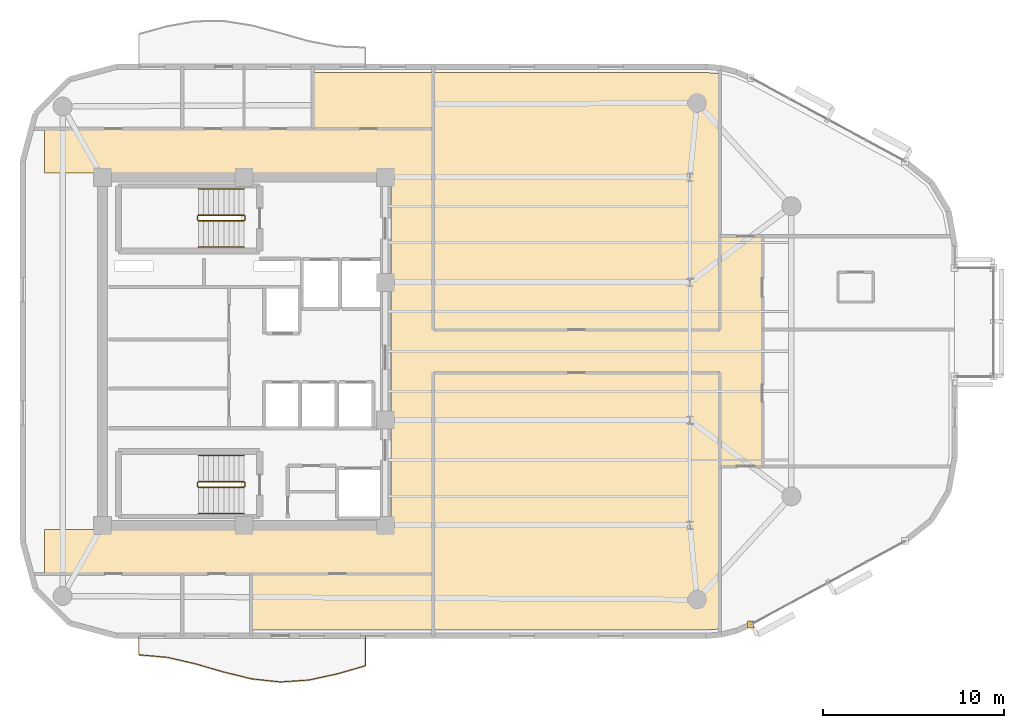
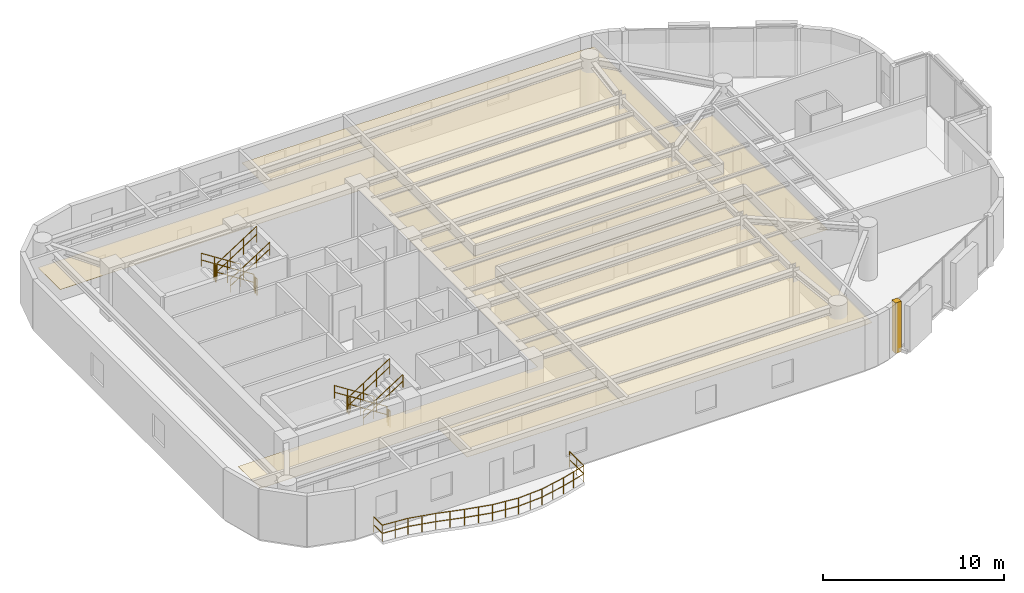
# One storey, part 13 of 14: 13 railings, 6 coverings.
"""IFC4 building model written with IfcOpenShell, lengths in metres."""

from ifc_helpers import new_model, si_unit, direction, frame, origin, origin_2d, place, context, subcontext, project, spatial, polyline, rectangle, circle, outline, extrude, material, layer, layer_set, type_object, element, save


model = new_model("IFC4")

# Units and contexts
model_context = context("Model", 3, precision=1e-05, world=origin(), true_north=direction((0.0, 1.0)))
body_context = subcontext(model_context, "Body", "Model", "MODEL_VIEW")
ifc_project = project(units=[si_unit("LENGTHUNIT", "METRE"), si_unit("AREAUNIT", "SQUARE_METRE"), si_unit("VOLUMEUNIT", "CUBIC_METRE"), si_unit("PLANEANGLEUNIT", "RADIAN"), si_unit("MASSUNIT", "GRAM", prefix="KILO")], contexts=[model_context])

# Site, building, storey
site_placement = place(None, origin())
site = spatial("IfcSite", under=ifc_project, at=site_placement, CompositionType="ELEMENT")
building_placement = place(site_placement, origin())
building = spatial("IfcBuilding", under=site, at=building_placement, Name="An Khanh Terracotta Commons", CompositionType="ELEMENT")
storey_placement = place(building_placement, frame((0.0, 0.0, 230.10009765625)))
storey = spatial("IfcBuildingStorey", under=building, at=storey_placement, Name="L60", CompositionType="ELEMENT", Elevation=230.10009765625)

# Coverings
ifc_material_1 = material(Name="Perforated Mineral-Fibre Acoustic Tile")
ifc_layer_1 = layer(ifc_material_1, 0.02001953125, Name="Perforated Mineral-Fibre Acoustic Tile")
ifc_layer_set_1 = layer_set([ifc_layer_1], Name="Perforated Mineral-Fibre Acoustic Tile")
covering_type_1 = type_object("IfcCoveringType", Name="CEIL-ACOUSTIC-18", PredefinedType="CEILING", material=ifc_layer_set_1)
covering_1_placement = place(storey_placement, frame((0.0, 0.0, 2.64990234375)))
element("IfcCovering", 1, at=covering_1_placement, inside=storey, type_object=covering_type_1, Name="L60 Corridor Ceiling", PredefinedType="CEILING", context=body_context, shape_type="SweptSolid", body=[
    extrude(outline(polyline([(18.39990234375, 11.719970703125), (18.39990234375, 14.179931640625), (37.5, 14.179931640625), (37.5, 33.820068359375), (18.39990234375, 33.820068359375), (18.39990234375, 36.280029296875), (37.5, 36.280029296875), (39.85009765625, 36.280029296875), (39.85009765625, 33.820068359375), (39.85009765625, 25.179931640625), (55.64990234375, 25.179931640625), (55.64990234375, 30.35009765625), (58.0, 30.35009765625), (58.0, 25.179931640625), (58.0, 22.820068359375), (58.0, 17.64990234375), (55.64990234375, 17.64990234375), (55.64990234375, 22.820068359375), (39.85009765625, 22.820068359375), (39.85009765625, 14.179931640625), (39.85009765625, 11.719970703125), (37.5, 11.719970703125), (18.39990234375, 11.719970703125)])), origin(), (0.0, 0.0, 1.0), 0.02001953125),
])
covering_2_placement = place(storey_placement, frame((0.0, 0.0, 2.64990234375)))
element("IfcCovering", 2, at=covering_2_placement, inside=storey, type_object=covering_type_1, Name="L60 Student Reading Library Ceiling", PredefinedType="CEILING", context=body_context, shape_type="SweptSolid", body=[
    extrude(outline(polyline([(54.8720703125, 39.3798828125), (55.64990234375, 39.31494140625), (55.64990234375, 30.35009765625), (55.64990234375, 25.179931640625), (39.85009765625, 25.179931640625), (39.85009765625, 33.820068359375), (39.85009765625, 36.280029296875), (39.85009765625, 39.3798828125), (54.8720703125, 39.3798828125)])), origin(), (0.0, 0.0, 1.0), 0.02001953125),
])
covering_3_placement = place(storey_placement, frame((0.0, 0.0, 2.64990234375)))
element("IfcCovering", 3, at=covering_3_placement, inside=storey, type_object=covering_type_1, Name="L60 Riverfront Reading Hall Ceiling", PredefinedType="CEILING", context=body_context, shape_type="SweptSolid", body=[
    extrude(outline(polyline([(54.8720703125, 8.6201171875), (39.85009765625, 8.6201171875), (39.85009765625, 11.719970703125), (39.85009765625, 14.179931640625), (39.85009765625, 22.820068359375), (55.64990234375, 22.820068359375), (55.64990234375, 17.64990234375), (55.64990234375, 8.68505859375), (54.8720703125, 8.6201171875)])), origin(), (0.0, 0.0, 1.0), 0.02001953125),
])
covering_4_placement = place(storey_placement, frame((0.0, 0.0, 2.64990234375)))
element("IfcCovering", 4, at=covering_4_placement, inside=storey, type_object=covering_type_1, Name="L60 Academic Seminar Room Ceiling", PredefinedType="CEILING", context=body_context, shape_type="SweptSolid", body=[
    extrude(outline(polyline([(39.85009765625, 39.3798828125), (39.85009765625, 36.280029296875), (37.5, 36.280029296875), (33.199951171875, 36.280029296875), (33.199951171875, 39.35009765625), (33.199951171875, 39.3798828125), (39.85009765625, 39.3798828125)])), origin(), (0.0, 0.0, 1.0), 0.02001953125),
])
covering_5_placement = place(storey_placement, frame((0.0, 0.0, 2.64990234375)))
element("IfcCovering", 5, at=covering_5_placement, inside=storey, type_object=covering_type_1, Name="L60 Academic Seminar Room Ceiling", PredefinedType="CEILING", context=body_context, shape_type="SweptSolid", body=[
    extrude(outline(polyline([(29.800048828125, 8.6201171875), (29.800048828125, 8.64990234375), (29.800048828125, 11.719970703125), (37.5, 11.719970703125), (39.85009765625, 11.719970703125), (39.85009765625, 8.6201171875), (29.800048828125, 8.6201171875)])), origin(), (0.0, 0.0, 1.0), 0.02001953125),
])
ifc_material_2 = material(Name="Fired Terracotta Rainscreen Cladding", Category="masonry")
ifc_layer_2 = layer(ifc_material_2, 0.080078125, Name="Fired Terracotta Rainscreen Cladding")
ifc_layer_set_2 = layer_set([ifc_layer_2], Name="Fired Terracotta Rainscreen Cladding")
covering_type_2 = type_object("IfcCoveringType", Name="COV-JAMB-TERRA", PredefinedType="CLADDING", material=ifc_layer_set_2)
covering_6_placement = place(storey_placement, frame((57.35693359375, 8.925048828125, 0.0), z_axis=(0.0, 0.0, 1.0), x_axis=(1.0, 0.0, 0.0)))
element("IfcCovering", 6, at=covering_6_placement, inside=storey, type_object=covering_type_2, Name="L60 CW-03 Curtain-Wall Jamb Closure JA", PredefinedType="CLADDING", context=body_context, shape_type="SweptSolid", body=[
    extrude(rectangle(XDim=0.3798828125, YDim=0.3798828125, at=origin_2d()), origin(), (0.0, 0.0, 1.0), 3.39990234375),
])

# Railings
ifc_material_3 = material(Name="Brushed Stainless Steel 316", Category="steel")
railing_type_1 = type_object("IfcRailingType", Name="RAIL-BALUSTRADE-1100", PredefinedType="BALUSTRADE", material=ifc_material_3)
railing_1_placement = place(storey_placement, frame((23.60009765625, 8.239990234375, 0.0)))
element("IfcRailing", 7, at=railing_1_placement, inside=storey, type_object=railing_type_1, Name="L60 S Wave Balcony Guard Balustrade", PredefinedType="BALUSTRADE", context=body_context, shape_type="SweptSolid", body=[
    extrude(circle(Radius=0.02392578125, at=origin_2d()), frame((0.0, 0.0, 1.076171875), z_axis=(0.0, -1.0, 0.0), x_axis=(1.0, 0.0, 0.0)), (0.0, 0.0, 1.0), 0.97998046875),
    extrude(circle(Radius=0.02392578125, at=origin_2d()), frame((0.0, 0.0, 0.52587890625), z_axis=(0.0, -1.0, 0.0), x_axis=(1.0, 0.0, 0.0)), (0.0, 0.0, 1.0), 0.97998046875),
    extrude(circle(Radius=0.02392578125, at=origin_2d()), frame((0.0, -0.97998046875, 1.076171875), z_axis=(0.996182561968, -0.087294348214, 0.0), x_axis=(0.087294348214, 0.996182561968, 0.0)), (0.0, 0.0, 1.0), 1.569091796875),
    extrude(circle(Radius=0.02392578125, at=origin_2d()), frame((0.0, -0.97998046875, 0.52587890625), z_axis=(0.996182561968, -0.087294348214, 0.0), x_axis=(0.087294348214, 0.996182561968, 0.0)), (0.0, 0.0, 1.0), 1.569091796875),
    extrude(circle(Radius=0.02392578125, at=origin_2d()), frame((1.56298828125, -1.116943359375, 1.076171875), z_axis=(0.974439944228, -0.224648158446, 0.0), x_axis=(0.224648158446, 0.974439944228, 0.0)), (0.0, 0.0, 1.0), 1.60302734375),
    extrude(circle(Radius=0.02392578125, at=origin_2d()), frame((1.56298828125, -1.116943359375, 0.52587890625), z_axis=(0.974439944228, -0.224648158446, 0.0), x_axis=(0.224648158446, 0.974439944228, 0.0)), (0.0, 0.0, 1.0), 1.60302734375),
    extrude(circle(Radius=0.02392578125, at=origin_2d()), frame((3.125, -1.47705078125, 1.076171875), z_axis=(0.960492524809, -0.27830578468, 0.0), x_axis=(0.27830578468, 0.960492524809, 0.0)), (0.0, 0.0, 1.0), 1.627197265625),
    extrude(circle(Radius=0.02392578125, at=origin_2d()), frame((3.125, -1.47705078125, 0.52587890625), z_axis=(0.960492524809, -0.27830578468, 0.0), x_axis=(0.27830578468, 0.960492524809, 0.0)), (0.0, 0.0, 1.0), 1.627197265625),
    extrude(circle(Radius=0.02392578125, at=origin_2d()), frame((4.68798828125, -1.929931640625, 1.076171875), z_axis=(0.971642146791, -0.236456208589, 0.0), x_axis=(0.236456208589, 0.971642146791, 0.0)), (0.0, 0.0, 1.0), 1.607666015625),
    extrude(circle(Radius=0.02392578125, at=origin_2d()), frame((4.68798828125, -1.929931640625, 0.52587890625), z_axis=(0.971642146791, -0.236456208589, 0.0), x_axis=(0.236456208589, 0.971642146791, 0.0)), (0.0, 0.0, 1.0), 1.607666015625),
    extrude(circle(Radius=0.02392578125, at=origin_2d()), frame((6.25, -2.31005859375, 1.076171875), z_axis=(0.994275025614, -0.106851174262, 0.0), x_axis=(0.106851174262, 0.994275025614, 0.0)), (0.0, 0.0, 1.0), 1.572021484375),
    extrude(circle(Radius=0.02392578125, at=origin_2d()), frame((6.25, -2.31005859375, 0.52587890625), z_axis=(0.994275025614, -0.106851174262, 0.0), x_axis=(0.106851174262, 0.994275025614, 0.0)), (0.0, 0.0, 1.0), 1.572021484375),
    extrude(circle(Radius=0.02392578125, at=origin_2d()), frame((7.81298828125, -2.47802734375, 1.076171875), z_axis=(0.997749131074, 0.067057225127, 0.0), x_axis=(-0.067057225127, 0.997749131074, 0.0)), (0.0, 0.0, 1.0), 1.5654296875),
    extrude(circle(Radius=0.02392578125, at=origin_2d()), frame((7.81298828125, -2.47802734375, 0.52587890625), z_axis=(0.997749131074, 0.067057225127, 0.0), x_axis=(-0.067057225127, 0.997749131074, 0.0)), (0.0, 0.0, 1.0), 1.5654296875),
    extrude(circle(Radius=0.02392578125, at=origin_2d()), frame((9.375, -2.373046875, 1.076171875), z_axis=(0.977263077738, 0.21203036785, 0.0), x_axis=(-0.21203036785, 0.977263077738, 0.0)), (0.0, 0.0, 1.0), 1.599365234375),
    extrude(circle(Radius=0.02392578125, at=origin_2d()), frame((9.375, -2.373046875, 0.52587890625), z_axis=(0.977263077738, 0.21203036785, 0.0), x_axis=(-0.21203036785, 0.977263077738, 0.0)), (0.0, 0.0, 1.0), 1.599365234375),
    extrude(circle(Radius=0.02392578125, at=origin_2d()), frame((10.93798828125, -2.033935546875, 1.076171875), z_axis=(0.960926592464, 0.276803330715, 0.0), x_axis=(-0.276803330715, 0.960926592464, 0.0)), (0.0, 0.0, 1.0), 1.62548828125),
    extrude(circle(Radius=0.02392578125, at=origin_2d()), frame((10.93798828125, -2.033935546875, 0.52587890625), z_axis=(0.960926592464, 0.276803330715, 0.0), x_axis=(-0.276803330715, 0.960926592464, 0.0)), (0.0, 0.0, 1.0), 1.62548828125),
    extrude(circle(Radius=0.02392578125, at=origin_2d()), frame((12.5, -1.583984375, 1.076171875), z_axis=(0.0, 1.0, 0.0), x_axis=(-1.0, 0.0, 0.0)), (0.0, 0.0, 1.0), 1.583984375),
    extrude(circle(Radius=0.02392578125, at=origin_2d()), frame((12.5, -1.583984375, 0.52587890625), z_axis=(0.0, 1.0, 0.0), x_axis=(-1.0, 0.0, 0.0)), (0.0, 0.0, 1.0), 1.583984375),
    extrude(circle(Radius=0.02099609375, at=origin_2d()), origin(), (0.0, 0.0, 1.0), 1.052001953125),
    extrude(circle(Radius=0.02099609375, at=origin_2d()), frame((0.0, -0.97998046875, 0.0)), (0.0, 0.0, 1.0), 1.052001953125),
    extrude(circle(Radius=0.02099609375, at=origin_2d()), frame((0.781494140625, -1.04833984375, 0.0)), (0.0, 0.0, 1.0), 1.052001953125),
    extrude(circle(Radius=0.02099609375, at=origin_2d()), frame((1.56298828125, -1.116943359375, 0.0)), (0.0, 0.0, 1.0), 1.052001953125),
    extrude(circle(Radius=0.02099609375, at=origin_2d()), frame((2.343994140625, -1.296875, 0.0)), (0.0, 0.0, 1.0), 1.052001953125),
    extrude(circle(Radius=0.02099609375, at=origin_2d()), frame((3.125, -1.47705078125, 0.0)), (0.0, 0.0, 1.0), 1.052001953125),
    extrude(circle(Radius=0.02099609375, at=origin_2d()), frame((3.906494140625, -1.70361328125, 0.0)), (0.0, 0.0, 1.0), 1.052001953125),
    extrude(circle(Radius=0.02099609375, at=origin_2d()), frame((4.68798828125, -1.929931640625, 0.0)), (0.0, 0.0, 1.0), 1.052001953125),
    extrude(circle(Radius=0.02099609375, at=origin_2d()), frame((5.468994140625, -2.1201171875, 0.0)), (0.0, 0.0, 1.0), 1.052001953125),
    extrude(circle(Radius=0.02099609375, at=origin_2d()), frame((6.25, -2.31005859375, 0.0)), (0.0, 0.0, 1.0), 1.052001953125),
    extrude(circle(Radius=0.02099609375, at=origin_2d()), frame((7.031494140625, -2.39404296875, 0.0)), (0.0, 0.0, 1.0), 1.052001953125),
    extrude(circle(Radius=0.02099609375, at=origin_2d()), frame((7.81298828125, -2.47802734375, 0.0)), (0.0, 0.0, 1.0), 1.052001953125),
    extrude(circle(Radius=0.02099609375, at=origin_2d()), frame((8.593994140625, -2.425537109375, 0.0)), (0.0, 0.0, 1.0), 1.052001953125),
    extrude(circle(Radius=0.02099609375, at=origin_2d()), frame((9.375, -2.373046875, 0.0)), (0.0, 0.0, 1.0), 1.052001953125),
    extrude(circle(Radius=0.02099609375, at=origin_2d()), frame((10.156494140625, -2.20361328125, 0.0)), (0.0, 0.0, 1.0), 1.052001953125),
    extrude(circle(Radius=0.02099609375, at=origin_2d()), frame((10.93798828125, -2.033935546875, 0.0)), (0.0, 0.0, 1.0), 1.052001953125),
    extrude(circle(Radius=0.02099609375, at=origin_2d()), frame((11.718994140625, -1.80908203125, 0.0)), (0.0, 0.0, 1.0), 1.052001953125),
    extrude(circle(Radius=0.02099609375, at=origin_2d()), frame((12.5, -1.583984375, 0.0)), (0.0, 0.0, 1.0), 1.052001953125),
    extrude(circle(Radius=0.02099609375, at=origin_2d()), frame((12.5, -0.7919921875, 0.0)), (0.0, 0.0, 1.0), 1.052001953125),
    extrude(circle(Radius=0.02099609375, at=origin_2d()), frame((12.5, 0.0, 0.0)), (0.0, 0.0, 1.0), 1.052001953125),
])
railing_type_2 = type_object("IfcRailingType", Name="RAIL-HANDRAIL-900", PredefinedType="HANDRAIL", material=ifc_material_3)
railing_2_placement = place(storey_placement, frame((29.409912109375, 32.949951171875, 0.179931640625)))
element("IfcRailing", 8, at=railing_2_placement, inside=storey, type_object=railing_type_2, Name="L60 ST-01 stair handrail 1", PredefinedType="HANDRAIL", context=body_context, shape_type="SweptSolid", body=[
    extrude(circle(Radius=0.02392578125, at=origin_2d()), frame((0.0, 0.0, 0.8759765625), z_axis=(-0.841199657755, 0.0, 0.540724639528), x_axis=(0.0, -1.0, 0.0)), (0.0, 0.0, 1.0), 2.995849609375),
    extrude(circle(Radius=0.02392578125, at=origin_2d()), frame((0.0, 0.0, 0.42578125), z_axis=(-0.841199657755, 0.0, 0.540724639528), x_axis=(0.0, -1.0, 0.0)), (0.0, 0.0, 1.0), 2.995849609375),
    extrude(circle(Radius=0.02099609375, at=origin_2d()), origin(), (0.0, 0.0, 1.0), 0.851806640625),
    extrude(circle(Radius=0.02099609375, at=origin_2d()), frame((-0.840087890625, 0.0, 0.5400390625)), (0.0, 0.0, 1.0), 0.851806640625),
    extrude(circle(Radius=0.02099609375, at=origin_2d()), frame((-1.679931640625, 0.0, 1.079833984375)), (0.0, 0.0, 1.0), 0.851806640625),
    extrude(circle(Radius=0.02099609375, at=origin_2d()), frame((-2.52001953125, 0.0, 1.619873046875)), (0.0, 0.0, 1.0), 0.851806640625),
])
railing_3_placement = place(storey_placement, frame((26.889892578125, 29.75, 1.97998046875)))
element("IfcRailing", 9, at=railing_3_placement, inside=storey, type_object=railing_type_2, Name="L60 ST-01 stair handrail 2", PredefinedType="HANDRAIL", context=body_context, shape_type="SweptSolid", body=[
    extrude(circle(Radius=0.02392578125, at=origin_2d()), frame((0.0, 0.0, 0.8759765625), z_axis=(0.841199657755, 0.0, 0.540724639528), x_axis=(0.0, 1.0, 0.0)), (0.0, 0.0, 1.0), 2.995849609375),
    extrude(circle(Radius=0.02392578125, at=origin_2d()), frame((0.0, 0.0, 0.42578125), z_axis=(0.841199657755, 0.0, 0.540724639528), x_axis=(0.0, 1.0, 0.0)), (0.0, 0.0, 1.0), 2.995849609375),
    extrude(circle(Radius=0.02099609375, at=origin_2d()), origin(), (0.0, 0.0, 1.0), 0.851806640625),
    extrude(circle(Radius=0.02099609375, at=origin_2d()), frame((0.840087890625, 0.0, 0.5400390625)), (0.0, 0.0, 1.0), 0.851806640625),
    extrude(circle(Radius=0.02099609375, at=origin_2d()), frame((1.679931640625, 0.0, 1.079833984375)), (0.0, 0.0, 1.0), 0.851806640625),
    extrude(circle(Radius=0.02099609375, at=origin_2d()), frame((2.52001953125, 0.0, 1.619873046875)), (0.0, 0.0, 1.0), 0.851806640625),
])
railing_4_placement = place(storey_placement, frame((29.409912109375, 18.25, 0.179931640625)))
element("IfcRailing", 10, at=railing_4_placement, inside=storey, type_object=railing_type_2, Name="L60 ST-02 stair handrail 1", PredefinedType="HANDRAIL", context=body_context, shape_type="SweptSolid", body=[
    extrude(circle(Radius=0.02392578125, at=origin_2d()), frame((0.0, 0.0, 0.8759765625), z_axis=(-0.841199657755, 0.0, 0.540724639528), x_axis=(0.0, -1.0, 0.0)), (0.0, 0.0, 1.0), 2.995849609375),
    extrude(circle(Radius=0.02392578125, at=origin_2d()), frame((0.0, 0.0, 0.42578125), z_axis=(-0.841199657755, 0.0, 0.540724639528), x_axis=(0.0, -1.0, 0.0)), (0.0, 0.0, 1.0), 2.995849609375),
    extrude(circle(Radius=0.02099609375, at=origin_2d()), origin(), (0.0, 0.0, 1.0), 0.851806640625),
    extrude(circle(Radius=0.02099609375, at=origin_2d()), frame((-0.840087890625, 0.0, 0.5400390625)), (0.0, 0.0, 1.0), 0.851806640625),
    extrude(circle(Radius=0.02099609375, at=origin_2d()), frame((-1.679931640625, 0.0, 1.079833984375)), (0.0, 0.0, 1.0), 0.851806640625),
    extrude(circle(Radius=0.02099609375, at=origin_2d()), frame((-2.52001953125, 0.0, 1.619873046875)), (0.0, 0.0, 1.0), 0.851806640625),
])
railing_5_placement = place(storey_placement, frame((26.889892578125, 15.050048828125, 1.97998046875)))
element("IfcRailing", 11, at=railing_5_placement, inside=storey, type_object=railing_type_2, Name="L60 ST-02 stair handrail 2", PredefinedType="HANDRAIL", context=body_context, shape_type="SweptSolid", body=[
    extrude(circle(Radius=0.02392578125, at=origin_2d()), frame((0.0, 0.0, 0.8759765625), z_axis=(0.841199657755, 0.0, 0.540724639528), x_axis=(0.0, 1.0, 0.0)), (0.0, 0.0, 1.0), 2.995849609375),
    extrude(circle(Radius=0.02392578125, at=origin_2d()), frame((0.0, 0.0, 0.42578125), z_axis=(0.841199657755, 0.0, 0.540724639528), x_axis=(0.0, 1.0, 0.0)), (0.0, 0.0, 1.0), 2.995849609375),
    extrude(circle(Radius=0.02099609375, at=origin_2d()), origin(), (0.0, 0.0, 1.0), 0.851806640625),
    extrude(circle(Radius=0.02099609375, at=origin_2d()), frame((0.840087890625, 0.0, 0.5400390625)), (0.0, 0.0, 1.0), 0.851806640625),
    extrude(circle(Radius=0.02099609375, at=origin_2d()), frame((1.679931640625, 0.0, 1.079833984375)), (0.0, 0.0, 1.0), 0.851806640625),
    extrude(circle(Radius=0.02099609375, at=origin_2d()), frame((2.52001953125, 0.0, 1.619873046875)), (0.0, 0.0, 1.0), 0.851806640625),
])
ifc_material_4 = material(Name="Powder-Coated Steel S355J2", Category="steel")
railing_type_3 = type_object("IfcRailingType", Name="RAIL-STAIR-GUARD-1100", PredefinedType="BALUSTRADE", material=ifc_material_4)
railing_6_placement = place(storey_placement, frame((29.409912109375, 31.5, 0.179931640625)))
element("IfcRailing", 12, at=railing_6_placement, inside=storey, type_object=railing_type_3, Name="L60 ST-01 stair guard 1", PredefinedType="BALUSTRADE", context=body_context, shape_type="SweptSolid", body=[
    extrude(circle(Radius=0.02392578125, at=origin_2d()), frame((0.0, 0.0, 1.076171875), z_axis=(-0.841199657755, 0.0, 0.540724639528), x_axis=(0.0, -1.0, 0.0)), (0.0, 0.0, 1.0), 2.995849609375),
    extrude(circle(Radius=0.02392578125, at=origin_2d()), frame((0.0, 0.0, 0.52587890625), z_axis=(-0.841199657755, 0.0, 0.540724639528), x_axis=(0.0, -1.0, 0.0)), (0.0, 0.0, 1.0), 2.995849609375),
    extrude(circle(Radius=0.02099609375, at=origin_2d()), origin(), (0.0, 0.0, 1.0), 1.052001953125),
    extrude(circle(Radius=0.02099609375, at=origin_2d()), frame((-0.840087890625, 0.0, 0.5400390625)), (0.0, 0.0, 1.0), 1.052001953125),
    extrude(circle(Radius=0.02099609375, at=origin_2d()), frame((-1.679931640625, 0.0, 1.079833984375)), (0.0, 0.0, 1.0), 1.052001953125),
    extrude(circle(Radius=0.02099609375, at=origin_2d()), frame((-2.52001953125, 0.0, 1.619873046875)), (0.0, 0.0, 1.0), 1.052001953125),
])
railing_7_placement = place(storey_placement, frame((26.840087890625, 31.449951171875, 1.7998046875)))
element("IfcRailing", 13, at=railing_7_placement, inside=storey, type_object=railing_type_3, Name="L60 ST-01 stair guard 2", PredefinedType="BALUSTRADE", context=body_context, shape_type="SweptSolid", body=[
    extrude(circle(Radius=0.02392578125, at=origin_2d()), frame((0.0, 0.0, 1.076171875), z_axis=(0.0, -1.0, 0.0), x_axis=(1.0, 0.0, 0.0)), (0.0, 0.0, 1.0), 0.199951171875),
    extrude(circle(Radius=0.02392578125, at=origin_2d()), frame((0.0, 0.0, 0.52587890625), z_axis=(0.0, -1.0, 0.0), x_axis=(1.0, 0.0, 0.0)), (0.0, 0.0, 1.0), 0.199951171875),
    extrude(circle(Radius=0.02099609375, at=origin_2d()), origin(), (0.0, 0.0, 1.0), 1.052001953125),
    extrude(circle(Radius=0.02099609375, at=origin_2d()), frame((0.0, -0.199951171875, 0.0)), (0.0, 0.0, 1.0), 1.052001953125),
])
railing_8_placement = place(storey_placement, frame((26.889892578125, 31.199951171875, 1.97998046875)))
element("IfcRailing", 14, at=railing_8_placement, inside=storey, type_object=railing_type_3, Name="L60 ST-01 stair guard 3", PredefinedType="BALUSTRADE", context=body_context, shape_type="SweptSolid", body=[
    extrude(circle(Radius=0.02392578125, at=origin_2d()), frame((0.0, 0.0, 1.076171875), z_axis=(0.841199657755, 0.0, 0.540724639528), x_axis=(0.0, 1.0, 0.0)), (0.0, 0.0, 1.0), 2.995849609375),
    extrude(circle(Radius=0.02392578125, at=origin_2d()), frame((0.0, 0.0, 0.52587890625), z_axis=(0.841199657755, 0.0, 0.540724639528), x_axis=(0.0, 1.0, 0.0)), (0.0, 0.0, 1.0), 2.995849609375),
    extrude(circle(Radius=0.02099609375, at=origin_2d()), origin(), (0.0, 0.0, 1.0), 1.052001953125),
    extrude(circle(Radius=0.02099609375, at=origin_2d()), frame((0.840087890625, 0.0, 0.5400390625)), (0.0, 0.0, 1.0), 1.052001953125),
    extrude(circle(Radius=0.02099609375, at=origin_2d()), frame((1.679931640625, 0.0, 1.079833984375)), (0.0, 0.0, 1.0), 1.052001953125),
    extrude(circle(Radius=0.02099609375, at=origin_2d()), frame((2.52001953125, 0.0, 1.619873046875)), (0.0, 0.0, 1.0), 1.052001953125),
])
railing_9_placement = place(storey_placement, frame((29.4599609375, 31.449951171875, 0.0)))
element("IfcRailing", 15, at=railing_9_placement, inside=storey, type_object=railing_type_3, Name="L60 ST-01 stair guard 4", PredefinedType="BALUSTRADE", context=body_context, shape_type="SweptSolid", body=[
    extrude(circle(Radius=0.02392578125, at=origin_2d()), frame((0.0, 0.0, 1.076171875), z_axis=(0.0, -1.0, 0.0), x_axis=(1.0, 0.0, 0.0)), (0.0, 0.0, 1.0), 0.199951171875),
    extrude(circle(Radius=0.02392578125, at=origin_2d()), frame((0.0, 0.0, 0.52587890625), z_axis=(0.0, -1.0, 0.0), x_axis=(1.0, 0.0, 0.0)), (0.0, 0.0, 1.0), 0.199951171875),
    extrude(circle(Radius=0.02099609375, at=origin_2d()), origin(), (0.0, 0.0, 1.0), 1.052001953125),
    extrude(circle(Radius=0.02099609375, at=origin_2d()), frame((0.0, -0.199951171875, 0.0)), (0.0, 0.0, 1.0), 1.052001953125),
])
railing_10_placement = place(storey_placement, frame((29.409912109375, 16.800048828125, 0.179931640625)))
element("IfcRailing", 16, at=railing_10_placement, inside=storey, type_object=railing_type_3, Name="L60 ST-02 stair guard 1", PredefinedType="BALUSTRADE", context=body_context, shape_type="SweptSolid", body=[
    extrude(circle(Radius=0.02392578125, at=origin_2d()), frame((0.0, 0.0, 1.076171875), z_axis=(-0.841199657755, 0.0, 0.540724639528), x_axis=(0.0, -1.0, 0.0)), (0.0, 0.0, 1.0), 2.995849609375),
    extrude(circle(Radius=0.02392578125, at=origin_2d()), frame((0.0, 0.0, 0.52587890625), z_axis=(-0.841199657755, 0.0, 0.540724639528), x_axis=(0.0, -1.0, 0.0)), (0.0, 0.0, 1.0), 2.995849609375),
    extrude(circle(Radius=0.02099609375, at=origin_2d()), origin(), (0.0, 0.0, 1.0), 1.052001953125),
    extrude(circle(Radius=0.02099609375, at=origin_2d()), frame((-0.840087890625, 0.0, 0.5400390625)), (0.0, 0.0, 1.0), 1.052001953125),
    extrude(circle(Radius=0.02099609375, at=origin_2d()), frame((-1.679931640625, 0.0, 1.079833984375)), (0.0, 0.0, 1.0), 1.052001953125),
    extrude(circle(Radius=0.02099609375, at=origin_2d()), frame((-2.52001953125, 0.0, 1.619873046875)), (0.0, 0.0, 1.0), 1.052001953125),
])
railing_11_placement = place(storey_placement, frame((26.840087890625, 16.75, 1.7998046875)))
element("IfcRailing", 17, at=railing_11_placement, inside=storey, type_object=railing_type_3, Name="L60 ST-02 stair guard 2", PredefinedType="BALUSTRADE", context=body_context, shape_type="SweptSolid", body=[
    extrude(circle(Radius=0.02392578125, at=origin_2d()), frame((0.0, 0.0, 1.076171875), z_axis=(0.0, -1.0, 0.0), x_axis=(1.0, 0.0, 0.0)), (0.0, 0.0, 1.0), 0.199951171875),
    extrude(circle(Radius=0.02392578125, at=origin_2d()), frame((0.0, 0.0, 0.52587890625), z_axis=(0.0, -1.0, 0.0), x_axis=(1.0, 0.0, 0.0)), (0.0, 0.0, 1.0), 0.199951171875),
    extrude(circle(Radius=0.02099609375, at=origin_2d()), origin(), (0.0, 0.0, 1.0), 1.052001953125),
    extrude(circle(Radius=0.02099609375, at=origin_2d()), frame((0.0, -0.199951171875, 0.0)), (0.0, 0.0, 1.0), 1.052001953125),
])
railing_12_placement = place(storey_placement, frame((26.889892578125, 16.5, 1.97998046875)))
element("IfcRailing", 18, at=railing_12_placement, inside=storey, type_object=railing_type_3, Name="L60 ST-02 stair guard 3", PredefinedType="BALUSTRADE", context=body_context, shape_type="SweptSolid", body=[
    extrude(circle(Radius=0.02392578125, at=origin_2d()), frame((0.0, 0.0, 1.076171875), z_axis=(0.841199657755, 0.0, 0.540724639528), x_axis=(0.0, 1.0, 0.0)), (0.0, 0.0, 1.0), 2.995849609375),
    extrude(circle(Radius=0.02392578125, at=origin_2d()), frame((0.0, 0.0, 0.52587890625), z_axis=(0.841199657755, 0.0, 0.540724639528), x_axis=(0.0, 1.0, 0.0)), (0.0, 0.0, 1.0), 2.995849609375),
    extrude(circle(Radius=0.02099609375, at=origin_2d()), origin(), (0.0, 0.0, 1.0), 1.052001953125),
    extrude(circle(Radius=0.02099609375, at=origin_2d()), frame((0.840087890625, 0.0, 0.5400390625)), (0.0, 0.0, 1.0), 1.052001953125),
    extrude(circle(Radius=0.02099609375, at=origin_2d()), frame((1.679931640625, 0.0, 1.079833984375)), (0.0, 0.0, 1.0), 1.052001953125),
    extrude(circle(Radius=0.02099609375, at=origin_2d()), frame((2.52001953125, 0.0, 1.619873046875)), (0.0, 0.0, 1.0), 1.052001953125),
])
railing_13_placement = place(storey_placement, frame((29.4599609375, 16.75, 0.0)))
element("IfcRailing", 19, at=railing_13_placement, inside=storey, type_object=railing_type_3, Name="L60 ST-02 stair guard 4", PredefinedType="BALUSTRADE", context=body_context, shape_type="SweptSolid", body=[
    extrude(circle(Radius=0.02392578125, at=origin_2d()), frame((0.0, 0.0, 1.076171875), z_axis=(0.0, -1.0, 0.0), x_axis=(1.0, 0.0, 0.0)), (0.0, 0.0, 1.0), 0.199951171875),
    extrude(circle(Radius=0.02392578125, at=origin_2d()), frame((0.0, 0.0, 0.52587890625), z_axis=(0.0, -1.0, 0.0), x_axis=(1.0, 0.0, 0.0)), (0.0, 0.0, 1.0), 0.199951171875),
    extrude(circle(Radius=0.02099609375, at=origin_2d()), origin(), (0.0, 0.0, 1.0), 1.052001953125),
    extrude(circle(Radius=0.02099609375, at=origin_2d()), frame((0.0, -0.199951171875, 0.0)), (0.0, 0.0, 1.0), 1.052001953125),
])

save(model, "model.ifc")
